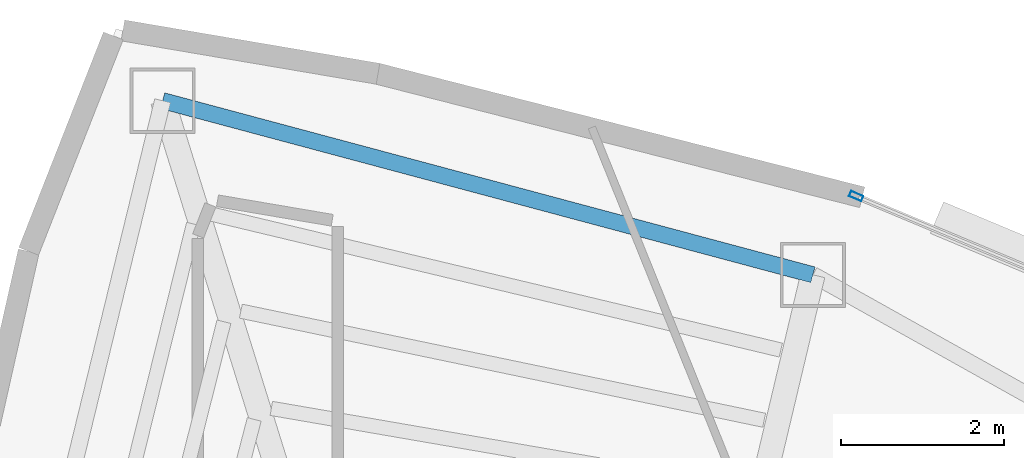
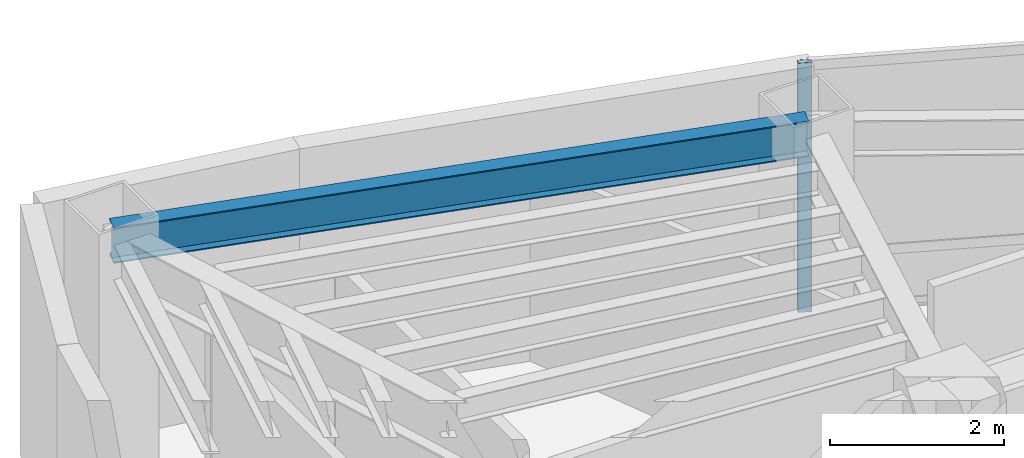
# One storey, part 9 of 15: 1 beam, 1 member, 1 element without a shape of its own.
"""IFC4 building model written with IfcOpenShell, lengths in metres."""

from ifc_helpers import new_model, si_unit, direction, frame, origin, origin_2d, place, context, subcontext, project, spatial, hollow_rectangle, i_section, extrude, material, layer, layer_set, material_profile, profile_set, type_object, element, aggregate, save


model = new_model("IFC4")

# Units and contexts
model_context = context("Model", 3, precision=1e-05, world=origin(), true_north=direction((0.0, 1.0)))
body_context = subcontext(model_context, "Body", "Model", "MODEL_VIEW")
ifc_project = project(units=[si_unit("LENGTHUNIT", "METRE"), si_unit("AREAUNIT", "SQUARE_METRE"), si_unit("VOLUMEUNIT", "CUBIC_METRE"), si_unit("PLANEANGLEUNIT", "RADIAN"), si_unit("MASSUNIT", "GRAM", prefix="KILO")], contexts=[model_context])

# Site, building, storey
site_placement = place(None, origin())
site = spatial("IfcSite", under=ifc_project, at=site_placement, CompositionType="ELEMENT")
building_placement = place(site_placement, origin())
building = spatial("IfcBuilding", under=site, at=building_placement, Name="Menara Vayukalpa", CompositionType="ELEMENT")
storey_placement = place(building_placement, frame((0.0, 0.0, 269.4599609375)))
storey = spatial("IfcBuildingStorey", under=building, at=storey_placement, Name="L68", CompositionType="ELEMENT", Elevation=269.4599609375)

# Beam
ifc_material_1 = material(Name="Steel S355", Category="steel")
ifc_material_profile_1 = material_profile(ifc_material_1, i_section(OverallWidth=0.199951171875, OverallDepth=0.5, WebThickness=0.010009765625, FlangeThickness=0.01611328125, at=origin_2d()), Name="WF 500x200x10x16")
ifc_profile_set_1 = profile_set([ifc_material_profile_1], Name="Steel S355")
beam_type = type_object("IfcBeamType", Name="BM-SP3", PredefinedType="SPANDREL", material=ifc_profile_set_1)
beam_placement = place(storey_placement, frame((23.3818359375, 32.40478515625, 3.25), z_axis=(-0.965978332552, 0.258623009494, 0.0), x_axis=(-0.258623009494, -0.965978332552, 0.0)))
element("IfcBeam", 1, at=beam_placement, inside=storey, type_object=beam_type, Name="L68 Perimeter Spandrel Beam SP03", PredefinedType="SPANDREL", context=body_context, shape_type="SweptSolid", body=[
    extrude(i_section(OverallWidth=0.199951171875, OverallDepth=0.5, WebThickness=0.010009765625, FlangeThickness=0.01611328125, at=origin_2d()), origin(), (0.0, 0.0, 1.0), 8.274169921875),
])

# Curtain wall, member
ifc_material_2 = material(Name="Anodised Terracotta Aluminium Alloy 6063-T6", Category="masonry")
ifc_layer = layer(ifc_material_2, 0.1650390625)
ifc_layer_set = layer_set([ifc_layer], Name="Anodised Terracotta Aluminium Alloy 6063-T6")
curtain_wall_type = type_object("IfcCurtainWallType", Name="CW-CW6", PredefinedType="USERDEFINED", material=ifc_layer_set)
curtain_wall_placement = place(storey_placement, origin())
curtain_wall = element("IfcCurtainWall", 2, at=curtain_wall_placement, inside=storey, type_object=curtain_wall_type, Name="L68 Observation and Executive Curtain Wall CW6 05", ObjectType="UNITISED", PredefinedType="USERDEFINED")
ifc_material_3 = material(Name="Anodised Terracotta Aluminium Alloy 6063-T6", Category="masonry")
ifc_material_profile_2 = material_profile(ifc_material_3, hollow_rectangle(XDim=0.070068359375, YDim=0.1650390625, WallThickness=0.00390625, at=origin_2d()), Name="ALU 70x165x4")
ifc_profile_set_2 = profile_set([ifc_material_profile_2], Name="Anodised Terracotta Aluminium Alloy 6063-T6")
member_type = type_object("IfcMemberType", Name="CWM-CW6", PredefinedType="MULLION", material=ifc_profile_set_2)
member_placement = place(storey_placement, frame((23.913330078125, 33.37158203125, 0.0), z_axis=(0.0, 0.0, 1.0), x_axis=(-0.385899911703, -0.922540653927, 0.0)))
member = element("IfcMember", 3, at=member_placement, type_object=member_type, Name="CW6 mullion 3", PredefinedType="MULLION", context=body_context, shape_type="SweptSolid", body=[
    extrude(hollow_rectangle(XDim=0.070068359375, YDim=0.1650390625, WallThickness=0.00390625, at=origin_2d()), origin(), (0.0, 0.0, 1.0), 3.5),
])
aggregate(curtain_wall, [member])

save(model, "model.ifc")
